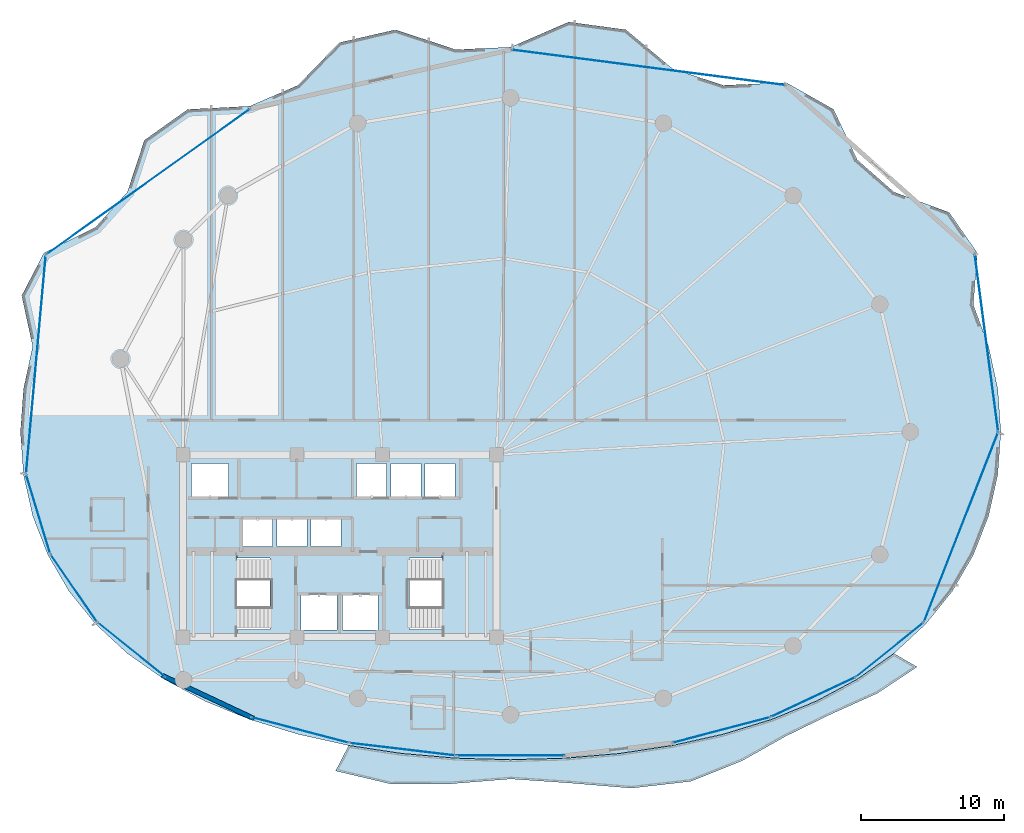
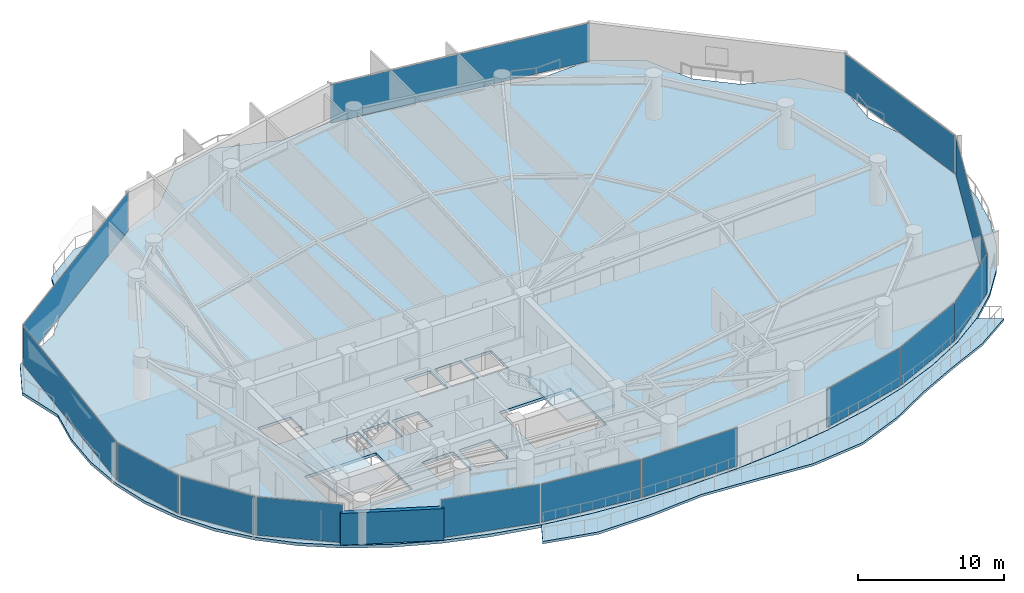
# One storey, part 25 of 33: 14 plates, 4 slabs, 1 wall, 16 elements without a shape of their own.
"""IFC4 building model written with IfcOpenShell, lengths in metres."""

from ifc_helpers import new_model, si_unit, direction, frame, frame_2d, origin, origin_2d, place, context, subcontext, project, spatial, polyline, rectangle, outline, extrude, material, layer, layer_set, type_object, element, aggregate, save


model = new_model("IFC4")

# Units and contexts
model_context = context("Model", 3, precision=1e-05, world=origin(), true_north=direction((0.0, 1.0)))
body_context = subcontext(model_context, "Body", "Model", "MODEL_VIEW")
ifc_project = project(units=[si_unit("LENGTHUNIT", "METRE"), si_unit("AREAUNIT", "SQUARE_METRE"), si_unit("VOLUMEUNIT", "CUBIC_METRE"), si_unit("PLANEANGLEUNIT", "RADIAN"), si_unit("MASSUNIT", "GRAM", prefix="KILO")], contexts=[model_context])

# Site, building, storey
site_placement = place(None, origin())
site = spatial("IfcSite", under=ifc_project, at=site_placement, CompositionType="ELEMENT")
building_placement = place(site_placement, origin())
building = spatial("IfcBuilding", under=site, at=building_placement, Name="Kazevale Care Tower and Concert Hall", CompositionType="ELEMENT")
storey_placement = place(building_placement, frame((0.0, 0.0, 149.39990234375)))
storey = spatial("IfcBuildingStorey", under=building, at=storey_placement, Name="L39", CompositionType="ELEMENT", Elevation=149.39990234375)

# Curtain wall, plate
ifc_material_1 = material(Name="Aluminium 6063-T6 and Low-E Glass", Category="aluminium")
ifc_layer_1 = layer(ifc_material_1, 0.179931640625)
ifc_layer_set_1 = layer_set([ifc_layer_1], Name="Aluminium 6063-T6 and Low-E Glass")
curtain_wall_type_1 = type_object("IfcCurtainWallType", Name="Convex Recessed Sunroom Curtain Wall CW-3", PredefinedType="NOTDEFINED", material=ifc_layer_set_1)
curtain_wall_1_placement = place(storey_placement, origin())
curtain_wall_1 = element("IfcCurtainWall", 1, at=curtain_wall_1_placement, inside=storey, type_object=curtain_wall_type_1, Name="cw:L39:f14", PredefinedType="NOTDEFINED")
ifc_material_2 = material(Name="Low-E Laminated Glass", Category="glass")
ifc_layer_2 = layer(ifc_material_2, 0.028076171875)
ifc_layer_set_2 = layer_set([ifc_layer_2], Name="Low-E Laminated Glass")
plate_type_1 = type_object("IfcPlateType", Name="CW-3 Low-E Glazing Panel 28mm", PredefinedType="CURTAIN_PANEL", material=ifc_layer_set_2)
plate_1_placement = place(storey_placement, frame((19.56103515625, 55.554931640625, 0.0751953125), z_axis=(0.0, 0.0, 1.0), x_axis=(0.813672201494, 0.58132396176, 0.0)))
plate_1 = element("IfcPlate", 2, at=plate_1_placement, type_object=plate_type_1, Name="CW-3 panel 1.1", PredefinedType="CURTAIN_PANEL", context=body_context, shape_type="SweptSolid", body=[
    extrude(rectangle(XDim=17.495849609375, YDim=0.028076171875, at=origin_2d()), origin(), (0.0, 0.0, 1.0), 3.2099609375),
])
aggregate(curtain_wall_1, [plate_1])

curtain_wall_2_placement = place(storey_placement, origin())
curtain_wall_2 = element("IfcCurtainWall", 3, at=curtain_wall_2_placement, inside=storey, type_object=curtain_wall_type_1, Name="cw:L39:f16", PredefinedType="NOTDEFINED")
plate_2_placement = place(storey_placement, frame((54.66845703125, 63.576416015625, 0.0751953125), z_axis=(0.0, 0.0, 1.0), x_axis=(0.99173542708, -0.128299815569, 0.0)))
plate_2 = element("IfcPlate", 4, at=plate_2_placement, type_object=plate_type_1, Name="CW-3 panel 1.1", PredefinedType="CURTAIN_PANEL", context=body_context, shape_type="SweptSolid", body=[
    extrude(rectangle(XDim=19.265380859375, YDim=0.028076171875, at=origin_2d()), origin(), (0.0, 0.0, 1.0), 3.2099609375),
])
aggregate(curtain_wall_2, [plate_2])

ifc_layer_3 = layer(ifc_material_1, 0.179931640625)
ifc_layer_set_3 = layer_set([ifc_layer_3], Name="Aluminium 6063-T6 and Low-E Glass")
curtain_wall_type_2 = type_object("IfcCurtainWallType", Name="Waist & Upper Residential Curtain Wall CW-4", PredefinedType="NOTDEFINED", material=ifc_layer_set_3)
curtain_wall_3_placement = place(storey_placement, origin())
curtain_wall_3 = element("IfcCurtainWall", 5, at=curtain_wall_3_placement, inside=storey, type_object=curtain_wall_type_2, Name="cw:L39:f01", PredefinedType="NOTDEFINED")
ifc_layer_4 = layer(ifc_material_2, 0.030029296875)
ifc_layer_set_4 = layer_set([ifc_layer_4], Name="Low-E Laminated Glass")
plate_type_2 = type_object("IfcPlateType", Name="CW-4 Low-E Glazing Panel 30mm", PredefinedType="CURTAIN_PANEL", material=ifc_layer_set_4)
plate_3_placement = place(storey_placement, frame((76.60791015625, 31.319091796875, 0.080078125), z_axis=(0.0, 0.0, 1.0), x_axis=(-0.36412075471, -0.931351746651, 0.0)))
plate_3 = element("IfcPlate", 6, at=plate_3_placement, type_object=plate_type_2, Name="CW-4 panel 1.1", PredefinedType="CURTAIN_PANEL", context=body_context, shape_type="SweptSolid", body=[
    extrude(rectangle(XDim=14.186767578125, YDim=0.030029296875, at=origin_2d()), origin(), (0.0, 0.0, 1.0), 3.199951171875),
])
aggregate(curtain_wall_3, [plate_3])

curtain_wall_4_placement = place(storey_placement, origin())
curtain_wall_4 = element("IfcCurtainWall", 7, at=curtain_wall_4_placement, inside=storey, type_object=curtain_wall_type_2, Name="cw:L39:f11", PredefinedType="NOTDEFINED")
plate_4_placement = place(storey_placement, frame((14.348388671875, 27.03955078125, 0.080078125), z_axis=(0.0, 0.0, 1.0), x_axis=(-0.567568708131, 0.823326035997, 0.0)))
plate_4 = element("IfcPlate", 8, at=plate_4_placement, type_object=plate_type_2, Name="CW-4 panel 1.1", PredefinedType="CURTAIN_PANEL", context=body_context, shape_type="SweptSolid", body=[
    extrude(rectangle(XDim=5.673583984375, YDim=0.030029296875, at=origin_2d()), origin(), (0.0, 0.0, 1.0), 3.199951171875),
])
aggregate(curtain_wall_4, [plate_4])

curtain_wall_5_placement = place(storey_placement, origin())
curtain_wall_5 = element("IfcCurtainWall", 9, at=curtain_wall_5_placement, inside=storey, type_object=curtain_wall_type_2, Name="cw:L39:f12", PredefinedType="NOTDEFINED")
plate_5_placement = place(storey_placement, frame((11.843994140625, 32.232421875, 0.080078125), z_axis=(0.0, 0.0, 1.0), x_axis=(-0.290977496961, 0.956729897234, 0.0)))
plate_5 = element("IfcPlate", 10, at=plate_5_placement, type_object=plate_type_2, Name="CW-4 panel 1.1", PredefinedType="CURTAIN_PANEL", context=body_context, shape_type="SweptSolid", body=[
    extrude(rectangle(XDim=5.675537109375, YDim=0.030029296875, at=origin_2d()), origin(), (0.0, 0.0, 1.0), 3.199951171875),
])
aggregate(curtain_wall_5, [plate_5])

curtain_wall_6_placement = place(storey_placement, origin())
curtain_wall_6 = element("IfcCurtainWall", 11, at=curtain_wall_6_placement, inside=storey, type_object=curtain_wall_type_2, Name="cw:L39:f13", PredefinedType="NOTDEFINED")
plate_6_placement = place(storey_placement, frame((11.6884765625, 42.72509765625, 0.080078125), z_axis=(0.0, 0.0, 1.0), x_axis=(0.089690298589, 0.995969703525, 0.0)))
plate_6 = element("IfcPlate", 12, at=plate_6_placement, type_object=plate_type_2, Name="CW-4 panel 1.1", PredefinedType="CURTAIN_PANEL", context=body_context, shape_type="SweptSolid", body=[
    extrude(rectangle(XDim=15.304443359375, YDim=0.030029296875, at=origin_2d()), origin(), (0.0, 0.0, 1.0), 3.199951171875),
])
aggregate(curtain_wall_6, [plate_6])

curtain_wall_7_placement = place(storey_placement, origin())
curtain_wall_7 = element("IfcCurtainWall", 13, at=curtain_wall_7_placement, inside=storey, type_object=curtain_wall_type_2, Name="cw:L39:f18", PredefinedType="NOTDEFINED")
plate_7_placement = place(storey_placement, frame((78.39306640625, 44.255615234375, 0.080078125), z_axis=(0.0, 0.0, 1.0), x_axis=(0.131063272711, -0.991374005382, 0.0)))
plate_7 = element("IfcPlate", 14, at=plate_7_placement, type_object=plate_type_2, Name="CW-4 panel 1.1", PredefinedType="CURTAIN_PANEL", context=body_context, shape_type="SweptSolid", body=[
    extrude(rectangle(XDim=12.4599609375, YDim=0.030029296875, at=origin_2d()), origin(), (0.0, 0.0, 1.0), 3.199951171875),
])
aggregate(curtain_wall_7, [plate_7])

ifc_layer_5 = layer(ifc_material_1, 0.179931640625)
ifc_layer_set_5 = layer_set([ifc_layer_5], Name="Aluminium 6063-T6 and Low-E Glass")
curtain_wall_type_3 = type_object("IfcCurtainWallType", Name="Sheltered Concave Balcony Curtain Wall CW-5", PredefinedType="NOTDEFINED", material=ifc_layer_set_5)
curtain_wall_8_placement = place(storey_placement, origin())
curtain_wall_8 = element("IfcCurtainWall", 15, at=curtain_wall_8_placement, inside=storey, type_object=curtain_wall_type_3, Name="cw:L39:f02", PredefinedType="NOTDEFINED")
ifc_layer_6 = layer(ifc_material_2, 0.02587890625)
ifc_layer_set_6 = layer_set([ifc_layer_6], Name="Low-E Laminated Glass")
plate_type_3 = type_object("IfcPlateType", Name="CW-5 Low-E Glazing Panel 26mm", PredefinedType="CURTAIN_PANEL", material=ifc_layer_set_6)
plate_8_placement = place(storey_placement, frame((71.613037109375, 22.720458984375, 0.0751953125), z_axis=(0.0, 0.0, 1.0), x_axis=(-0.779095419531, -0.626905357502, 0.0)))
plate_8 = element("IfcPlate", 16, at=plate_8_placement, type_object=plate_type_3, Name="CW-5 panel 1.1", PredefinedType="CURTAIN_PANEL", context=body_context, shape_type="SweptSolid", body=[
    extrude(rectangle(XDim=5.96728515625, YDim=0.02587890625, at=origin_2d()), origin(), (0.0, 0.0, 1.0), 3.2099609375),
])
aggregate(curtain_wall_8, [plate_8])

curtain_wall_9_placement = place(storey_placement, origin())
curtain_wall_9 = element("IfcCurtainWall", 17, at=curtain_wall_9_placement, inside=storey, type_object=curtain_wall_type_3, Name="cw:L39:f03", PredefinedType="NOTDEFINED")
plate_9_placement = place(storey_placement, frame((66.235595703125, 19.39697265625, 0.0751953125), z_axis=(0.0, 0.0, 1.0), x_axis=(-0.905188294205, -0.425010766963, 0.0)))
plate_9 = element("IfcPlate", 18, at=plate_9_placement, type_object=plate_type_3, Name="CW-5 panel 1.1", PredefinedType="CURTAIN_PANEL", context=body_context, shape_type="SweptSolid", body=[
    extrude(rectangle(XDim=6.46630859375, YDim=0.02587890625, at=origin_2d()), origin(), (0.0, 0.0, 1.0), 3.2099609375),
])
aggregate(curtain_wall_9, [plate_9])

curtain_wall_10_placement = place(storey_placement, origin())
curtain_wall_10 = element("IfcCurtainWall", 19, at=curtain_wall_10_placement, inside=storey, type_object=curtain_wall_type_3, Name="cw:L39:f04", PredefinedType="NOTDEFINED")
plate_10_placement = place(storey_placement, frame((59.784912109375, 17.08251953125, 0.0751953125), z_axis=(0.0, 0.0, 1.0), x_axis=(-0.967141564797, -0.254238458229, 0.0)))
plate_10 = element("IfcPlate", 20, at=plate_10_placement, type_object=plate_type_3, Name="CW-5 panel 1.1", PredefinedType="CURTAIN_PANEL", context=body_context, shape_type="SweptSolid", body=[
    extrude(rectangle(XDim=6.996826171875, YDim=0.02587890625, at=origin_2d()), origin(), (0.0, 0.0, 1.0), 3.2099609375),
])
aggregate(curtain_wall_10, [plate_10])

curtain_wall_11_placement = place(storey_placement, origin())
curtain_wall_11 = element("IfcCurtainWall", 21, at=curtain_wall_11_placement, inside=storey, type_object=curtain_wall_type_3, Name="cw:L39:f06", PredefinedType="NOTDEFINED")
plate_11_placement = place(storey_placement, frame((45.0, 15.2890625, 0.0751953125), z_axis=(0.0, 0.0, 1.0), x_axis=(-1.0, 0.0, 0.0)))
plate_11 = element("IfcPlate", 22, at=plate_11_placement, type_object=plate_type_3, Name="CW-5 panel 1.1", PredefinedType="CURTAIN_PANEL", context=body_context, shape_type="SweptSolid", body=[
    extrude(rectangle(XDim=7.531982421875, YDim=0.02587890625, at=origin_2d()), origin(), (0.0, 0.0, 1.0), 3.2099609375),
])
aggregate(curtain_wall_11, [plate_11])

curtain_wall_12_placement = place(storey_placement, origin())
curtain_wall_12 = element("IfcCurtainWall", 23, at=curtain_wall_12_placement, inside=storey, type_object=curtain_wall_type_3, Name="cw:L39:f07", PredefinedType="NOTDEFINED")
plate_12_placement = place(storey_placement, frame((37.4150390625, 15.7314453125, 0.0751953125), z_axis=(0.0, 0.0, 1.0), x_axis=(-0.993087997884, 0.117372179238, 0.0)))
plate_12 = element("IfcPlate", 24, at=plate_12_placement, type_object=plate_type_3, Name="CW-5 panel 1.1", PredefinedType="CURTAIN_PANEL", context=body_context, shape_type="SweptSolid", body=[
    extrude(rectangle(XDim=7.39013671875, YDim=0.02587890625, at=origin_2d()), origin(), (0.0, 0.0, 1.0), 3.2099609375),
])
aggregate(curtain_wall_12, [plate_12])

curtain_wall_13_placement = place(storey_placement, origin())
curtain_wall_13 = element("IfcCurtainWall", 25, at=curtain_wall_13_placement, inside=storey, type_object=curtain_wall_type_3, Name="cw:L39:f08", PredefinedType="NOTDEFINED")
plate_13_placement = place(storey_placement, frame((30.215087890625, 17.08251953125, 0.0751953125), z_axis=(0.0, 0.0, 1.0), x_axis=(-0.967141564797, 0.254238458229, 0.0)))
plate_13 = element("IfcPlate", 26, at=plate_13_placement, type_object=plate_type_3, Name="CW-5 panel 1.1", PredefinedType="CURTAIN_PANEL", context=body_context, shape_type="SweptSolid", body=[
    extrude(rectangle(XDim=6.996826171875, YDim=0.02587890625, at=origin_2d()), origin(), (0.0, 0.0, 1.0), 3.2099609375),
])
aggregate(curtain_wall_13, [plate_13])

curtain_wall_14_placement = place(storey_placement, origin())
curtain_wall_14 = element("IfcCurtainWall", 27, at=curtain_wall_14_placement, inside=storey, type_object=curtain_wall_type_3, Name="cw:L39:f10", PredefinedType="NOTDEFINED")
plate_14_placement = place(storey_placement, frame((18.386962890625, 22.720458984375, 0.0751953125), z_axis=(0.0, 0.0, 1.0), x_axis=(-0.779095419531, 0.626905357502, 0.0)))
plate_14 = element("IfcPlate", 28, at=plate_14_placement, type_object=plate_type_3, Name="CW-5 panel 1.1", PredefinedType="CURTAIN_PANEL", context=body_context, shape_type="SweptSolid", body=[
    extrude(rectangle(XDim=5.96728515625, YDim=0.02587890625, at=origin_2d()), origin(), (0.0, 0.0, 1.0), 3.2099609375),
])
aggregate(curtain_wall_14, [plate_14])

# Slab
ifc_material_3 = material(Name="Concrete C40", Category="concrete")
ifc_layer_7 = layer(ifc_material_3, 0.199951171875)
ifc_layer_set_7 = layer_set([ifc_layer_7], Name="Concrete C40")
slab_type_1 = type_object("IfcSlabType", Name="Sinusoidal Concave Balcony Slab 200", PredefinedType="USERDEFINED", material=ifc_layer_set_7)
slab_1_placement = place(storey_placement, frame((0.0, 0.0, -0.199951171875)))
element("IfcSlab", 29, at=slab_1_placement, inside=storey, type_object=slab_type_1, Name="slab:L39:bal", ObjectType="BALCONY", PredefinedType="USERDEFINED", context=body_context, shape_type="SweptSolid", body=[
    extrude(outline(polyline([(73.522216796875, 21.512451171875), (70.720947265625, 19.653076171875), (67.47998046875, 18.197509765625), (64.346435546875, 16.669921875), (61.23779296875, 14.92333984375), (57.65966796875, 13.4833984375), (53.48193359375, 13.00244140625), (49.14501953125, 13.365234375), (45.0, 13.6494140625), (40.845947265625, 13.312255859375), (36.615966796875, 13.291259765625), (32.716796875, 14.212890625), (33.635986328125, 15.992919921875), (33.637451171875, 15.992431640625), (37.3447265625, 15.435546875), (41.148193359375, 15.104736328125), (45.0, 14.9951171875), (48.851806640625, 15.104736328125), (52.6552734375, 15.435546875), (56.362548828125, 15.992431640625), (59.927001953125, 16.783447265625), (63.3037109375, 17.81689453125), (66.4501953125, 19.101806640625), (69.3271484375, 20.64501953125), (71.898193359375, 22.44921875), (71.899658203125, 22.450439453125), (73.522216796875, 21.512451171875)])), origin(), (0.0, 0.0, 1.0), 0.199951171875),
])

# Stair, slab
stair_type = type_object("IfcStairType", Name="Exit Stair Assembly ST1-Z2", PredefinedType="HALF_TURN_STAIR", material=ifc_material_3)
stair_1_placement = place(storey_placement, origin())
stair_1 = element("IfcStair", 30, at=stair_1_placement, inside=storey, type_object=stair_type, Name="stair:L39:ST1", PredefinedType="HALF_TURN_STAIR")
ifc_layer_8 = layer(ifc_material_3, 0.199951171875)
ifc_layer_set_8 = layer_set([ifc_layer_8], Name="Concrete C40")
slab_type_2 = type_object("IfcSlabType", Name="Stair Half-Landing Slab ST1-Z2", PredefinedType="LANDING", material=ifc_layer_set_8)
slab_2_placement = place(storey_placement, frame((0.0, 0.0, 1.60009765625)))
slab_2 = element("IfcSlab", 31, at=slab_2_placement, type_object=slab_type_2, Name="ST1-Z2 landing 1", PredefinedType="LANDING", context=body_context, shape_type="SweptSolid", body=[
    extrude(outline(polyline([(22.050048828125, 23.699951171875), (25.81005859375, 23.699951171875), (25.81005859375, 29.5), (22.050048828125, 29.5), (22.050048828125, 23.699951171875)])), origin(), (0.0, 0.0, 1.0), 0.199951171875),
])
aggregate(stair_1, [slab_2])

stair_2_placement = place(storey_placement, origin())
stair_2 = element("IfcStair", 32, at=stair_2_placement, inside=storey, type_object=stair_type, Name="stair:L39:ST2", PredefinedType="HALF_TURN_STAIR")
slab_3_placement = place(storey_placement, frame((0.0, 0.0, 1.60009765625)))
slab_3 = element("IfcSlab", 33, at=slab_3_placement, type_object=slab_type_2, Name="ST1-Z2 landing 1", PredefinedType="LANDING", context=body_context, shape_type="SweptSolid", body=[
    extrude(outline(polyline([(40.18994140625, 23.699951171875), (43.949951171875, 23.699951171875), (43.949951171875, 29.5), (40.18994140625, 29.5), (40.18994140625, 23.699951171875)])), origin(), (0.0, 0.0, 1.0), 0.199951171875),
])
aggregate(stair_2, [slab_3])

# Slab
ifc_layer_9 = layer(ifc_material_3, 0.239990234375)
ifc_layer_set_9 = layer_set([ifc_layer_9], Name="Concrete C40")
slab_type_3 = type_object("IfcSlabType", Name="Tower Typical Floor Slab 240", PredefinedType="FLOOR", material=ifc_layer_set_9)
slab_4_placement = place(storey_placement, frame((0.0, 0.0, -0.239990234375)))
element("IfcSlab", 34, at=slab_4_placement, inside=storey, type_object=slab_type_3, Name="slab:L39:tw:1", PredefinedType="FLOOR", context=body_context, shape_type="SweptSolid", body=[
    extrude(outline(polyline([(79.39990234375, 38.0), (79.18359375, 41.02294921875), (78.53759765625, 44.008056640625), (77.469482421875, 46.91748046875), (77.750244140625, 50.560791015625), (75.7783203125, 53.40234375), (71.89501953125, 54.834228515625), (69.324462890625, 57.091796875), (67.663818359375, 60.634033203125), (64.33935546875, 62.5126953125), (59.925537109375, 62.326171875), (56.361572265625, 63.48486328125), (53.088623046875, 66.22412109375), (49.06982421875, 66.76806640625), (45.0, 65.0), (41.1484375, 64.830078125), (36.911376953125, 66.22412109375), (32.994384765625, 65.325439453125), (30.074462890625, 62.326171875), (26.697998046875, 60.861572265625), (22.336181640625, 60.634033203125), (19.296630859375, 58.470703125), (18.10498046875, 54.834228515625), (15.872802734375, 52.364990234375), (12.249755859375, 50.560791015625), (10.689697265625, 47.5615234375), (11.46240234375, 44.008056640625), (10.81640625, 41.02294921875), (10.60009765625, 38.0), (10.81640625, 34.997802734375), (11.46240234375, 32.1005859375), (12.530517578125, 29.362548828125), (14.006591796875, 26.82421875), (15.872802734375, 24.514892578125), (18.10498046875, 22.452880859375), (20.675537109375, 20.649169921875), (23.552001953125, 19.1064453125), (26.697998046875, 17.821533203125), (30.074462890625, 16.7880859375), (33.638427734375, 15.997314453125), (37.34521484375, 15.4404296875), (41.1484375, 15.109619140625), (45.0, 15.0), (48.8515625, 15.109619140625), (52.65478515625, 15.4404296875), (56.361572265625, 15.997314453125), (59.925537109375, 16.7880859375), (63.302001953125, 17.821533203125), (66.447998046875, 19.1064453125), (69.324462890625, 20.649169921875), (71.89501953125, 22.452880859375), (74.127197265625, 24.514892578125), (75.993408203125, 26.82421875), (77.469482421875, 29.362548828125), (78.53759765625, 32.1005859375), (79.18359375, 34.997802734375), (79.39990234375, 38.0)]), holes=[polyline([(22.449951171875, 24.14990234375), (28.110107421875, 24.14990234375), (28.110107421875, 29.14990234375), (22.449951171875, 29.14990234375), (22.449951171875, 24.14990234375)]), polyline([(37.889892578125, 24.14990234375), (43.550048828125, 24.14990234375), (43.550048828125, 29.14990234375), (37.889892578125, 29.14990234375), (37.889892578125, 24.14990234375)]), polyline([(30.300048828125, 24.10009765625), (32.800048828125, 24.10009765625), (32.800048828125, 26.60009765625), (30.300048828125, 26.60009765625), (30.300048828125, 24.10009765625)]), polyline([(33.199951171875, 24.10009765625), (35.699951171875, 24.10009765625), (35.699951171875, 26.60009765625), (33.199951171875, 26.60009765625), (33.199951171875, 24.10009765625)]), polyline([(22.60009765625, 33.39990234375), (25.199951171875, 33.39990234375), (25.199951171875, 35.800048828125), (22.60009765625, 35.800048828125), (22.60009765625, 33.39990234375)]), polyline([(34.199951171875, 33.39990234375), (36.300048828125, 33.39990234375), (36.300048828125, 35.800048828125), (34.199951171875, 35.800048828125), (34.199951171875, 33.39990234375)]), polyline([(36.60009765625, 33.39990234375), (38.699951171875, 33.39990234375), (38.699951171875, 35.800048828125), (36.60009765625, 35.800048828125), (36.60009765625, 33.39990234375)]), polyline([(39.0, 33.39990234375), (41.10009765625, 33.39990234375), (41.10009765625, 35.800048828125), (39.0, 35.800048828125), (39.0, 33.39990234375)]), polyline([(26.199951171875, 29.949951171875), (28.300048828125, 29.949951171875), (28.300048828125, 31.949951171875), (26.199951171875, 31.949951171875), (26.199951171875, 29.949951171875)]), polyline([(28.60009765625, 29.949951171875), (30.699951171875, 29.949951171875), (30.699951171875, 31.949951171875), (28.60009765625, 31.949951171875), (28.60009765625, 29.949951171875)]), polyline([(31.0, 29.949951171875), (33.10009765625, 29.949951171875), (33.10009765625, 31.949951171875), (31.0, 31.949951171875), (31.0, 29.949951171875)])]), origin(), (0.0, 0.0, 1.0), 0.239990234375),
])

# Wall
ifc_material_4 = material(Name="Concrete C40 with Honed Limestone Cladding", Category="masonry")
ifc_layer_10 = layer(ifc_material_4, 0.320068359375)
ifc_layer_set_10 = layer_set([ifc_layer_10], Name="Concrete C40 with Honed Limestone Cladding")
wall_type = type_object("IfcWallType", Name="Tower Honed Limestone Spandrel Wall 320", PredefinedType="STANDARD", material=ifc_layer_set_10)
wall_placement = place(storey_placement, frame((26.993896484375, 17.8798828125, 0.0), z_axis=(0.0, 0.0, 1.0), x_axis=(-0.905106920297, 0.425184034073, 0.0)))
element("IfcWall", 35, at=wall_placement, inside=storey, type_object=wall_type, Name="wall:cw:L39:f09", PredefinedType="STANDARD", context=body_context, shape_type="SweptSolid", body=[
    extrude(rectangle(XDim=7.13623046875, YDim=0.320068359375, at=frame_2d((3.568115234375, 0.0))), origin(), (0.0, 0.0, 1.0), 2.656982421875),
])

save(model, "model.ifc")
